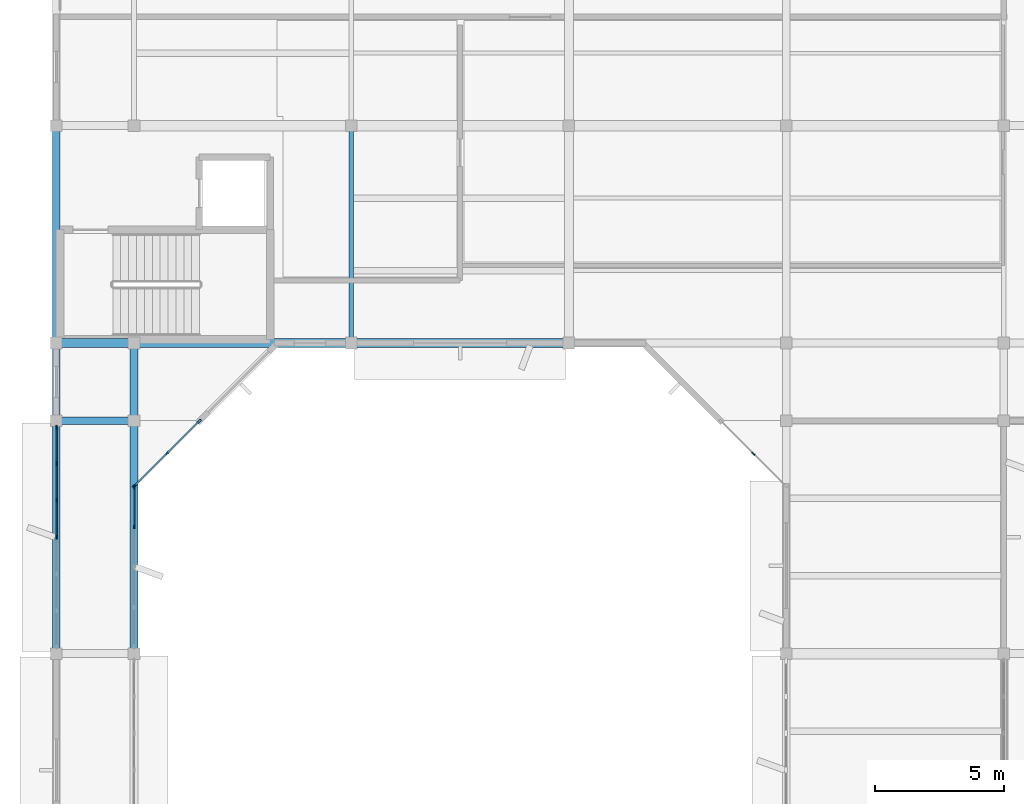
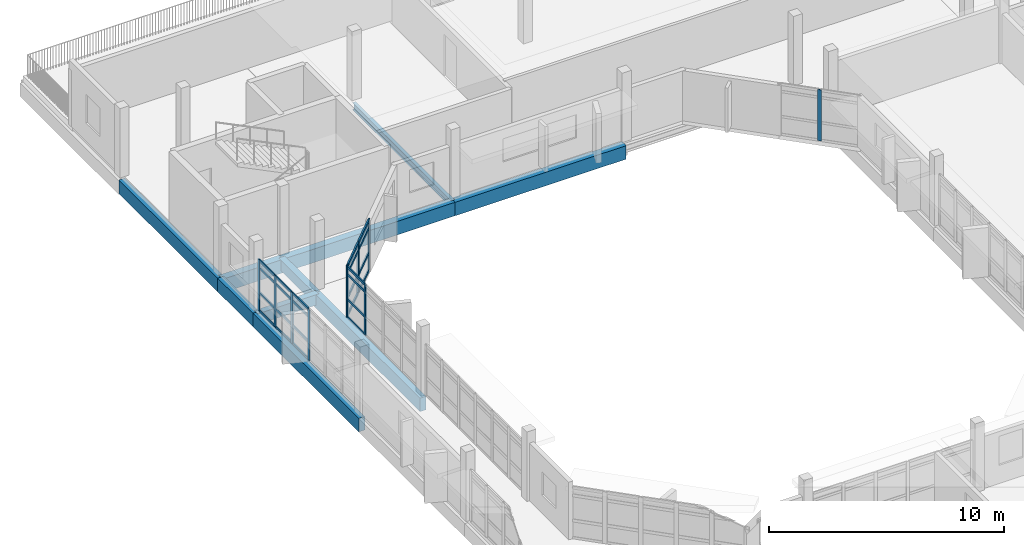
# One storey, part 9 of 42: 34 members, 10 beams, 4 elements without a shape of their own.
"""IFC4 building model written with IfcOpenShell, lengths in metres."""

from ifc_helpers import new_model, si_unit, direction, frame, origin, origin_2d, place, context, subcontext, project, spatial, rectangle, i_section, extrude, material, material_profile, profile_set, type_object, element, aggregate, save


model = new_model("IFC4")

# Units and contexts
model_context = context("Model", 3, precision=1e-05, world=origin(), true_north=direction((0.0, 1.0)))
body_context = subcontext(model_context, "Body", "Model", "MODEL_VIEW")
ifc_project = project(units=[si_unit("LENGTHUNIT", "METRE"), si_unit("AREAUNIT", "SQUARE_METRE"), si_unit("VOLUMEUNIT", "CUBIC_METRE"), si_unit("PLANEANGLEUNIT", "RADIAN"), si_unit("MASSUNIT", "GRAM", prefix="KILO")], contexts=[model_context])

# Site, building, storey
site_placement = place(None, origin())
site = spatial("IfcSite", under=ifc_project, at=site_placement, CompositionType="ELEMENT")
building_placement = place(site_placement, origin())
building = spatial("IfcBuilding", under=site, at=building_placement, Name="Vanh Quang Courtyard School", CompositionType="ELEMENT")
storey_placement = place(building_placement, frame((0.0, 0.0, 15.0)))
storey = spatial("IfcBuildingStorey", under=building, at=storey_placement, Name="L04", CompositionType="ELEMENT", Elevation=15.0)

# Beams
ifc_material_1 = material(Name="Concrete C35/45", Category="concrete")
ifc_material_profile_1 = material_profile(ifc_material_1, rectangle(XDim=0.300048828125, YDim=0.550048828125, at=origin_2d()), Name="RC-BM 300x550")
ifc_profile_set_1 = profile_set([ifc_material_profile_1], Name="Concrete C35/45")
beam_type_1 = type_object("IfcBeamType", Name="BM-RC-300x550", PredefinedType="BEAM", material=ifc_profile_set_1)
for number, where, z_axis, x_axis, name in (
    (1, (37.800048828125, 68.39990234375, -0.534912109375), (1.0, 0.0, 0.0), (0.0, 1.0, 0.0), "Beam B-07 (L04)"),
    (2, (40.800048828125, 68.39990234375, -0.534912109375), (0.0, 1.0, 0.0), (-1.0, 0.0, 0.0), "Beam B-07 (L04)"),
):
    element("IfcBeam", number, at=place(storey_placement, frame(where, z_axis=z_axis, x_axis=x_axis)), inside=storey, type_object=beam_type_1, Name=name, PredefinedType="BEAM", context=body_context, shape_type="SweptSolid", body=[
        extrude(rectangle(XDim=0.300048828125, YDim=0.550048828125, at=origin_2d()), origin(), (0.0, 0.0, 1.0), 3.0),
    ])
ifc_material_profile_2 = material_profile(ifc_material_1, rectangle(XDim=0.35009765625, YDim=0.699951171875, at=origin_2d()), Name="RC-BM 350x700")
ifc_profile_set_2 = profile_set([ifc_material_profile_2], Name="Concrete C35/45")
beam_type_2 = type_object("IfcBeamType", Name="BM-RC-350x700", PredefinedType="BEAM", material=ifc_profile_set_2)
beam_1_placement = place(storey_placement, frame((37.800048828125, 71.39990234375, -0.610107421875), z_axis=(1.0, 0.0, 0.0), x_axis=(0.0, 1.0, 0.0)))
element("IfcBeam", 3, at=beam_1_placement, inside=storey, type_object=beam_type_2, Name="Beam B-04 (L04)", PredefinedType="BEAM", context=body_context, shape_type="SweptSolid", body=[
    extrude(rectangle(XDim=0.35009765625, YDim=0.699951171875, at=origin_2d()), origin(), (0.0, 0.0, 1.0), 3.0),
])
beam_2_placement = place(storey_placement, frame((40.800048828125, 71.39990234375, -0.610107421875), z_axis=(1.0, 0.0, 0.0), x_axis=(0.0, 1.0, 0.0)))
element("IfcBeam", 4, at=beam_2_placement, inside=storey, type_object=beam_type_2, Name="Beam B-04 (L04)", PredefinedType="BEAM", context=body_context, shape_type="SweptSolid", body=[
    extrude(rectangle(XDim=0.35009765625, YDim=0.699951171875, at=origin_2d()), origin(), (0.0, 0.0, 1.0), 8.39990234375),
])
beam_3_placement = place(storey_placement, frame((49.199951171875, 71.39990234375, -0.610107421875), z_axis=(1.0, 0.0, 0.0), x_axis=(0.0, 1.0, 0.0)))
element("IfcBeam", 5, at=beam_3_placement, inside=storey, type_object=beam_type_2, Name="Beam B-04 (L04)", PredefinedType="BEAM", context=body_context, shape_type="SweptSolid", body=[
    extrude(rectangle(XDim=0.35009765625, YDim=0.699951171875, at=origin_2d()), origin(), (0.0, 0.0, 1.0), 8.400146484375),
])
ifc_material_profile_3 = material_profile(ifc_material_1, rectangle(XDim=0.300048828125, YDim=0.699951171875, at=origin_2d()), Name="RC-SP 300x700")
ifc_profile_set_3 = profile_set([ifc_material_profile_3], Name="Concrete C35/45")
beam_type_3 = type_object("IfcBeamType", Name="BM-SP-300x700", PredefinedType="SPANDREL", material=ifc_profile_set_3)
beam_4_placement = place(storey_placement, frame((37.800048828125, 59.39990234375, -0.610107421875), z_axis=(0.0, 1.0, 0.0), x_axis=(-1.0, 0.0, 0.0)))
element("IfcBeam", 6, at=beam_4_placement, inside=storey, type_object=beam_type_3, Name="Beam BS-01 (L04)", PredefinedType="SPANDREL", context=body_context, shape_type="SweptSolid", body=[
    extrude(rectangle(XDim=0.300048828125, YDim=0.699951171875, at=origin_2d()), origin(), (0.0, 0.0, 1.0), 9.0),
])
beam_5_placement = place(storey_placement, frame((37.800048828125, 68.39990234375, -0.610107421875), z_axis=(0.0, 1.0, 0.0), x_axis=(-1.0, 0.0, 0.0)))
element("IfcBeam", 7, at=beam_5_placement, inside=storey, type_object=beam_type_3, Name="Beam BS-01 (L04)", PredefinedType="SPANDREL", context=body_context, shape_type="SweptSolid", body=[
    extrude(rectangle(XDim=0.300048828125, YDim=0.699951171875, at=origin_2d()), origin(), (0.0, 0.0, 1.0), 3.0),
])
beam_6_placement = place(storey_placement, frame((37.800048828125, 71.39990234375, -0.610107421875), z_axis=(0.0, 1.0, 0.0), x_axis=(-1.0, 0.0, 0.0)))
element("IfcBeam", 8, at=beam_6_placement, inside=storey, type_object=beam_type_3, Name="Beam BS-01 (L04)", PredefinedType="SPANDREL", context=body_context, shape_type="SweptSolid", body=[
    extrude(rectangle(XDim=0.300048828125, YDim=0.699951171875, at=origin_2d()), origin(), (0.0, 0.0, 1.0), 8.400146484375),
])
beam_7_placement = place(storey_placement, frame((40.800048828125, 59.39990234375, -0.610107421875), z_axis=(0.0, 1.0, 0.0), x_axis=(-1.0, 0.0, 0.0)))
element("IfcBeam", 9, at=beam_7_placement, inside=storey, type_object=beam_type_3, Name="Beam BS-01 (L04)", PredefinedType="SPANDREL", context=body_context, shape_type="SweptSolid", body=[
    extrude(rectangle(XDim=0.300048828125, YDim=0.699951171875, at=origin_2d()), origin(), (0.0, 0.0, 1.0), 9.0),
])
ifc_material_2 = material(Name="Structural steel EN 10025-2 S355J2", Category="steel")
ifc_material_profile_4 = material_profile(ifc_material_2, i_section(OverallWidth=0.169921875, OverallDepth=0.360107421875, WebThickness=0.008056640625, FlangeThickness=0.0126953125, FilletRadius=0.01806640625, at=origin_2d()), Name="IPE 360")
ifc_profile_set_4 = profile_set([ifc_material_profile_4], Name="Structural steel EN 10025-2 S355J2")
beam_type_4 = type_object("IfcBeamType", Name="BM-STL-IPE360", PredefinedType="BEAM", material=ifc_profile_set_4)
beam_8_placement = place(storey_placement, frame((49.199951171875, 71.39990234375, -0.43994140625), z_axis=(0.0, 1.0, 0.0), x_axis=(-1.0, 0.0, 0.0)))
element("IfcBeam", 10, at=beam_8_placement, inside=storey, type_object=beam_type_4, Name="Beam SB-06 (L04)", PredefinedType="BEAM", context=body_context, shape_type="SweptSolid", body=[
    extrude(i_section(OverallWidth=0.169921875, OverallDepth=0.360107421875, WebThickness=0.008056640625, FlangeThickness=0.0126953125, FilletRadius=0.01806640625, at=origin_2d()), origin(), (0.0, 0.0, 1.0), 8.400146484375),
])

# Curtain wall, members
ifc_material_3 = material(Name="Thermally broken aluminium unitised curtain wall", Category="aluminium")
curtain_wall_type_1 = type_object("IfcCurtainWallType", Name="CW-SYS-50", PredefinedType="NOTDEFINED", material=ifc_material_3)
curtain_wall_1_placement = place(storey_placement, origin())
curtain_wall_1 = element("IfcCurtainWall", 11, at=curtain_wall_1_placement, inside=storey, type_object=curtain_wall_type_1, Name="Curtain Wall CW-50 (L04)", PredefinedType="NOTDEFINED")
ifc_material_4 = material(Name="Anodised aluminium 6063-T6", Category="aluminium")
ifc_material_profile_5 = material_profile(ifc_material_4, rectangle(XDim=0.06005859375, YDim=0.159912109375, at=origin_2d()), Name="ALU-MUL 60x160")
ifc_profile_set_5 = profile_set([ifc_material_profile_5], Name="Anodised aluminium 6063-T6")
member_type_1 = type_object("IfcMemberType", Name="CW-MUL-60x160", PredefinedType="MULLION", material=ifc_profile_set_5)
member_1_placement = place(storey_placement, frame((37.800048828125, 63.89990234375, 0.0), z_axis=(0.0, 0.0, 1.0), x_axis=(-1.0, 0.0, 0.0)))
member_1 = element("IfcMember", 12, at=member_1_placement, type_object=member_type_1, Name="CW-50 mullion 4", PredefinedType="MULLION", context=body_context, shape_type="SweptSolid", body=[
    extrude(rectangle(XDim=0.06005859375, YDim=0.159912109375, at=origin_2d()), origin(), (0.0, 0.0, 1.0), 2.64990234375),
])
member_2_placement = place(storey_placement, frame((37.800048828125, 65.322265625, 0.0), z_axis=(0.0, 0.0, 1.0), x_axis=(-1.0, 0.0, 0.0)))
member_2 = element("IfcMember", 13, at=member_2_placement, type_object=member_type_1, Name="CW-50 mullion 5", PredefinedType="MULLION", context=body_context, shape_type="SweptSolid", body=[
    extrude(rectangle(XDim=0.06005859375, YDim=0.159912109375, at=origin_2d()), origin(), (0.0, 0.0, 1.0), 2.64990234375),
])
member_3_placement = place(storey_placement, frame((37.800048828125, 66.74462890625, 0.0), z_axis=(0.0, 0.0, 1.0), x_axis=(-1.0, 0.0, 0.0)))
member_3 = element("IfcMember", 14, at=member_3_placement, type_object=member_type_1, Name="CW-50 mullion 6", PredefinedType="MULLION", context=body_context, shape_type="SweptSolid", body=[
    extrude(rectangle(XDim=0.06005859375, YDim=0.159912109375, at=origin_2d()), origin(), (0.0, 0.0, 1.0), 2.64990234375),
])
member_4_placement = place(storey_placement, frame((37.800048828125, 68.136962890625, 0.0), z_axis=(0.0, 0.0, 1.0), x_axis=(-1.0, 0.0, 0.0)))
member_4 = element("IfcMember", 15, at=member_4_placement, type_object=member_type_1, Name="CW-50 mullion 7", PredefinedType="MULLION", context=body_context, shape_type="SweptSolid", body=[
    extrude(rectangle(XDim=0.06005859375, YDim=0.159912109375, at=origin_2d()), origin(), (0.0, 0.0, 1.0), 2.64990234375),
])

curtain_wall_type_2 = type_object("IfcCurtainWallType", Name="CW-SYS-44", PredefinedType="NOTDEFINED", material=ifc_material_3)
curtain_wall_2_placement = place(storey_placement, origin())
curtain_wall_2 = element("IfcCurtainWall", 16, at=curtain_wall_2_placement, inside=storey, type_object=curtain_wall_type_2, Name="Curtain Wall CW-44 (L04)", PredefinedType="NOTDEFINED")
member_5_placement = place(storey_placement, frame((40.800048828125, 65.825927734375, 0.0), z_axis=(0.0, 0.0, 1.0), x_axis=(1.0, 0.0, 0.0)))
member_5 = element("IfcMember", 17, at=member_5_placement, type_object=member_type_1, Name="CW-44 mullion 1", PredefinedType="MULLION", context=body_context, shape_type="SweptSolid", body=[
    extrude(rectangle(XDim=0.06005859375, YDim=0.159912109375, at=origin_2d()), origin(), (0.0, 0.0, 1.0), 2.64990234375),
])
member_6_placement = place(storey_placement, frame((40.800048828125, 64.30029296875, 0.0), z_axis=(0.0, 0.0, 1.0), x_axis=(1.0, 0.0, 0.0)))
member_6 = element("IfcMember", 18, at=member_6_placement, type_object=member_type_1, Name="CW-44 mullion 2", PredefinedType="MULLION", context=body_context, shape_type="SweptSolid", body=[
    extrude(rectangle(XDim=0.06005859375, YDim=0.159912109375, at=origin_2d()), origin(), (0.0, 0.0, 1.0), 2.64990234375),
])

# Curtain wall, member
curtain_wall_type_3 = type_object("IfcCurtainWallType", Name="CW-SYS-41", PredefinedType="NOTDEFINED", material=ifc_material_3)
curtain_wall_3_placement = place(storey_placement, origin())
curtain_wall_3 = element("IfcCurtainWall", 19, at=curtain_wall_3_placement, inside=storey, type_object=curtain_wall_type_3, Name="Curtain Wall CW-41 (L04)", PredefinedType="NOTDEFINED")
member_7_placement = place(storey_placement, frame((64.72802734375, 67.1279296875, 0.0), z_axis=(0.0, 0.0, 1.0), x_axis=(-0.707106781187, -0.707106781187, 0.0)))
member_7 = element("IfcMember", 20, at=member_7_placement, type_object=member_type_1, Name="CW-41 mullion 2", PredefinedType="MULLION", context=body_context, shape_type="SweptSolid", body=[
    extrude(rectangle(XDim=0.06005859375, YDim=0.159912109375, at=origin_2d()), origin(), (0.0, 0.0, 1.0), 2.64990234375),
])
aggregate(curtain_wall_3, [member_7])

# Curtain wall, members
curtain_wall_4_placement = place(storey_placement, origin())
curtain_wall_4 = element("IfcCurtainWall", 21, at=curtain_wall_4_placement, inside=storey, type_object=curtain_wall_type_3, Name="Curtain Wall CW-41 (L04)", PredefinedType="NOTDEFINED")
ifc_material_profile_6 = material_profile(ifc_material_4, rectangle(XDim=0.070068359375, YDim=0.179931640625, at=origin_2d()), Name="ALU-MUL 70x180")
ifc_profile_set_6 = profile_set([ifc_material_profile_6], Name="Anodised aluminium 6063-T6")
member_type_2 = type_object("IfcMemberType", Name="CW-MUL-70x180", PredefinedType="MULLION", material=ifc_profile_set_6)
member_8_placement = place(storey_placement, frame((43.3193359375, 68.375244140625, 0.0), z_axis=(0.0, 0.0, 1.0), x_axis=(0.707106781187, -0.707106781187, 0.0)))
member_8 = element("IfcMember", 22, at=member_8_placement, type_object=member_type_2, Name="CW-41 mullion 1", PredefinedType="MULLION", context=body_context, shape_type="SweptSolid", body=[
    extrude(rectangle(XDim=0.070068359375, YDim=0.179931640625, at=origin_2d()), origin(), (0.0, 0.0, 1.0), 2.64990234375),
])
member_9_placement = place(storey_placement, frame((42.072021484375, 67.1279296875, 0.0), z_axis=(0.0, 0.0, 1.0), x_axis=(0.707106781187, -0.707106781187, 0.0)))
member_9 = element("IfcMember", 23, at=member_9_placement, type_object=member_type_2, Name="CW-41 mullion 2", PredefinedType="MULLION", context=body_context, shape_type="SweptSolid", body=[
    extrude(rectangle(XDim=0.070068359375, YDim=0.179931640625, at=origin_2d()), origin(), (0.0, 0.0, 1.0), 2.64990234375),
])
member_10_placement = place(storey_placement, frame((40.82470703125, 65.880859375, 0.0), z_axis=(0.0, 0.0, 1.0), x_axis=(0.707106781187, -0.707106781187, 0.0)))
member_10 = element("IfcMember", 24, at=member_10_placement, type_object=member_type_2, Name="CW-41 mullion 3", PredefinedType="MULLION", context=body_context, shape_type="SweptSolid", body=[
    extrude(rectangle(XDim=0.070068359375, YDim=0.179931640625, at=origin_2d()), origin(), (0.0, 0.0, 1.0), 2.64990234375),
])

# Member
ifc_material_profile_7 = material_profile(ifc_material_4, rectangle(XDim=0.06005859375, YDim=0.1201171875, at=origin_2d()), Name="ALU-TRN 60x120")
ifc_profile_set_7 = profile_set([ifc_material_profile_7], Name="Anodised aluminium 6063-T6")
member_type_3 = type_object("IfcMemberType", Name="CW-TRN-60x120", PredefinedType="USERDEFINED", material=ifc_profile_set_7)
member_11_placement = place(storey_placement, frame((37.800048828125, 63.929931640625, 0.030029296875), z_axis=(0.0, 1.0, 0.0), x_axis=(-1.0, 0.0, 0.0)))
member_11 = element("IfcMember", 25, at=member_11_placement, type_object=member_type_3, Name="CW-50 transom 4.1", ObjectType="TRANSOM", PredefinedType="USERDEFINED", context=body_context, shape_type="SweptSolid", body=[
    extrude(rectangle(XDim=0.06005859375, YDim=0.1201171875, at=origin_2d()), origin(), (0.0, 0.0, 1.0), 1.3623046875),
])

member_12_placement = place(storey_placement, frame((37.800048828125, 63.929931640625, 0.949951171875), z_axis=(0.0, 1.0, 0.0), x_axis=(-1.0, 0.0, 0.0)))
member_12 = element("IfcMember", 26, at=member_12_placement, type_object=member_type_3, Name="CW-50 transom 4.2", ObjectType="TRANSOM", PredefinedType="USERDEFINED", context=body_context, shape_type="SweptSolid", body=[
    extrude(rectangle(XDim=0.06005859375, YDim=0.1201171875, at=origin_2d()), origin(), (0.0, 0.0, 1.0), 1.3623046875),
])

member_13_placement = place(storey_placement, frame((37.800048828125, 63.929931640625, 2.25), z_axis=(0.0, 1.0, 0.0), x_axis=(-1.0, 0.0, 0.0)))
member_13 = element("IfcMember", 27, at=member_13_placement, type_object=member_type_3, Name="CW-50 transom 4.3", ObjectType="TRANSOM", PredefinedType="USERDEFINED", context=body_context, shape_type="SweptSolid", body=[
    extrude(rectangle(XDim=0.06005859375, YDim=0.1201171875, at=origin_2d()), origin(), (0.0, 0.0, 1.0), 1.3623046875),
])

member_14_placement = place(storey_placement, frame((37.800048828125, 63.929931640625, 2.6201171875), z_axis=(0.0, 1.0, 0.0), x_axis=(-1.0, 0.0, 0.0)))
member_14 = element("IfcMember", 28, at=member_14_placement, type_object=member_type_3, Name="CW-50 transom 4.4", ObjectType="TRANSOM", PredefinedType="USERDEFINED", context=body_context, shape_type="SweptSolid", body=[
    extrude(rectangle(XDim=0.06005859375, YDim=0.1201171875, at=origin_2d()), origin(), (0.0, 0.0, 1.0), 1.3623046875),
])

member_15_placement = place(storey_placement, frame((37.800048828125, 65.352294921875, 0.030029296875), z_axis=(0.0, 1.0, 0.0), x_axis=(-1.0, 0.0, 0.0)))
member_15 = element("IfcMember", 29, at=member_15_placement, type_object=member_type_3, Name="CW-50 transom 5.1", ObjectType="TRANSOM", PredefinedType="USERDEFINED", context=body_context, shape_type="SweptSolid", body=[
    extrude(rectangle(XDim=0.06005859375, YDim=0.1201171875, at=origin_2d()), origin(), (0.0, 0.0, 1.0), 1.3623046875),
])

member_16_placement = place(storey_placement, frame((37.800048828125, 65.352294921875, 0.949951171875), z_axis=(0.0, 1.0, 0.0), x_axis=(-1.0, 0.0, 0.0)))
member_16 = element("IfcMember", 30, at=member_16_placement, type_object=member_type_3, Name="CW-50 transom 5.2", ObjectType="TRANSOM", PredefinedType="USERDEFINED", context=body_context, shape_type="SweptSolid", body=[
    extrude(rectangle(XDim=0.06005859375, YDim=0.1201171875, at=origin_2d()), origin(), (0.0, 0.0, 1.0), 1.3623046875),
])

member_17_placement = place(storey_placement, frame((37.800048828125, 65.352294921875, 2.25), z_axis=(0.0, 1.0, 0.0), x_axis=(-1.0, 0.0, 0.0)))
member_17 = element("IfcMember", 31, at=member_17_placement, type_object=member_type_3, Name="CW-50 transom 5.3", ObjectType="TRANSOM", PredefinedType="USERDEFINED", context=body_context, shape_type="SweptSolid", body=[
    extrude(rectangle(XDim=0.06005859375, YDim=0.1201171875, at=origin_2d()), origin(), (0.0, 0.0, 1.0), 1.3623046875),
])

member_18_placement = place(storey_placement, frame((37.800048828125, 65.352294921875, 2.6201171875), z_axis=(0.0, 1.0, 0.0), x_axis=(-1.0, 0.0, 0.0)))
member_18 = element("IfcMember", 32, at=member_18_placement, type_object=member_type_3, Name="CW-50 transom 5.4", ObjectType="TRANSOM", PredefinedType="USERDEFINED", context=body_context, shape_type="SweptSolid", body=[
    extrude(rectangle(XDim=0.06005859375, YDim=0.1201171875, at=origin_2d()), origin(), (0.0, 0.0, 1.0), 1.3623046875),
])

member_19_placement = place(storey_placement, frame((37.800048828125, 66.774658203125, 0.030029296875), z_axis=(0.0, 1.0, 0.0), x_axis=(-1.0, 0.0, 0.0)))
member_19 = element("IfcMember", 33, at=member_19_placement, type_object=member_type_3, Name="CW-50 transom 6.1", ObjectType="TRANSOM", PredefinedType="USERDEFINED", context=body_context, shape_type="SweptSolid", body=[
    extrude(rectangle(XDim=0.06005859375, YDim=0.1201171875, at=origin_2d()), origin(), (0.0, 0.0, 1.0), 1.332275390625),
])

member_20_placement = place(storey_placement, frame((37.800048828125, 66.774658203125, 0.949951171875), z_axis=(0.0, 1.0, 0.0), x_axis=(-1.0, 0.0, 0.0)))
member_20 = element("IfcMember", 34, at=member_20_placement, type_object=member_type_3, Name="CW-50 transom 6.2", ObjectType="TRANSOM", PredefinedType="USERDEFINED", context=body_context, shape_type="SweptSolid", body=[
    extrude(rectangle(XDim=0.06005859375, YDim=0.1201171875, at=origin_2d()), origin(), (0.0, 0.0, 1.0), 1.332275390625),
])

member_21_placement = place(storey_placement, frame((37.800048828125, 66.774658203125, 2.25), z_axis=(0.0, 1.0, 0.0), x_axis=(-1.0, 0.0, 0.0)))
member_21 = element("IfcMember", 35, at=member_21_placement, type_object=member_type_3, Name="CW-50 transom 6.3", ObjectType="TRANSOM", PredefinedType="USERDEFINED", context=body_context, shape_type="SweptSolid", body=[
    extrude(rectangle(XDim=0.06005859375, YDim=0.1201171875, at=origin_2d()), origin(), (0.0, 0.0, 1.0), 1.332275390625),
])

member_22_placement = place(storey_placement, frame((37.800048828125, 66.774658203125, 2.6201171875), z_axis=(0.0, 1.0, 0.0), x_axis=(-1.0, 0.0, 0.0)))
member_22 = element("IfcMember", 36, at=member_22_placement, type_object=member_type_3, Name="CW-50 transom 6.4", ObjectType="TRANSOM", PredefinedType="USERDEFINED", context=body_context, shape_type="SweptSolid", body=[
    extrude(rectangle(XDim=0.06005859375, YDim=0.1201171875, at=origin_2d()), origin(), (0.0, 0.0, 1.0), 1.332275390625),
])

aggregate(curtain_wall_1, [member_1, member_2, member_3, member_4, member_11, member_12, member_13, member_14, member_15, member_16, member_17, member_18, member_19, member_20, member_21, member_22])

member_23_placement = place(storey_placement, frame((40.800048828125, 65.7958984375, 0.030029296875), z_axis=(0.0, -1.0, 0.0), x_axis=(1.0, 0.0, 0.0)))
member_23 = element("IfcMember", 37, at=member_23_placement, type_object=member_type_3, Name="CW-44 transom 1.1", ObjectType="TRANSOM", PredefinedType="USERDEFINED", context=body_context, shape_type="SweptSolid", body=[
    extrude(rectangle(XDim=0.06005859375, YDim=0.1201171875, at=origin_2d()), origin(), (0.0, 0.0, 1.0), 1.465576171875),
])

member_24_placement = place(storey_placement, frame((40.800048828125, 65.7958984375, 0.949951171875), z_axis=(0.0, -1.0, 0.0), x_axis=(1.0, 0.0, 0.0)))
member_24 = element("IfcMember", 38, at=member_24_placement, type_object=member_type_3, Name="CW-44 transom 1.2", ObjectType="TRANSOM", PredefinedType="USERDEFINED", context=body_context, shape_type="SweptSolid", body=[
    extrude(rectangle(XDim=0.06005859375, YDim=0.1201171875, at=origin_2d()), origin(), (0.0, 0.0, 1.0), 1.465576171875),
])

member_25_placement = place(storey_placement, frame((40.800048828125, 65.7958984375, 2.25), z_axis=(0.0, -1.0, 0.0), x_axis=(1.0, 0.0, 0.0)))
member_25 = element("IfcMember", 39, at=member_25_placement, type_object=member_type_3, Name="CW-44 transom 1.3", ObjectType="TRANSOM", PredefinedType="USERDEFINED", context=body_context, shape_type="SweptSolid", body=[
    extrude(rectangle(XDim=0.06005859375, YDim=0.1201171875, at=origin_2d()), origin(), (0.0, 0.0, 1.0), 1.465576171875),
])

member_26_placement = place(storey_placement, frame((40.800048828125, 65.7958984375, 2.6201171875), z_axis=(0.0, -1.0, 0.0), x_axis=(1.0, 0.0, 0.0)))
member_26 = element("IfcMember", 40, at=member_26_placement, type_object=member_type_3, Name="CW-44 transom 1.4", ObjectType="TRANSOM", PredefinedType="USERDEFINED", context=body_context, shape_type="SweptSolid", body=[
    extrude(rectangle(XDim=0.06005859375, YDim=0.1201171875, at=origin_2d()), origin(), (0.0, 0.0, 1.0), 1.465576171875),
])

aggregate(curtain_wall_2, [member_5, member_6, member_23, member_24, member_25, member_26])

ifc_material_profile_8 = material_profile(ifc_material_4, rectangle(XDim=0.070068359375, YDim=0.139892578125, at=origin_2d()), Name="ALU-TRN 70x140")
ifc_profile_set_8 = profile_set([ifc_material_profile_8], Name="Anodised aluminium 6063-T6")
member_type_4 = type_object("IfcMemberType", Name="CW-TRN-70x140", PredefinedType="USERDEFINED", material=ifc_profile_set_8)
member_27_placement = place(storey_placement, frame((43.29443359375, 68.3505859375, 0.034912109375), z_axis=(-0.707106781187, -0.707106781187, 0.0), x_axis=(0.707106781187, -0.707106781187, 0.0)))
member_27 = element("IfcMember", 41, at=member_27_placement, type_object=member_type_4, Name="CW-41 transom 1.1", ObjectType="TRANSOM", PredefinedType="USERDEFINED", context=body_context, shape_type="SweptSolid", body=[
    extrude(rectangle(XDim=0.070068359375, YDim=0.139892578125, at=origin_2d()), origin(), (0.0, 0.0, 1.0), 1.69384765625),
])

member_28_placement = place(storey_placement, frame((43.29443359375, 68.3505859375, 0.949951171875), z_axis=(-0.707106781187, -0.707106781187, 0.0), x_axis=(0.707106781187, -0.707106781187, 0.0)))
member_28 = element("IfcMember", 42, at=member_28_placement, type_object=member_type_4, Name="CW-41 transom 1.2", ObjectType="TRANSOM", PredefinedType="USERDEFINED", context=body_context, shape_type="SweptSolid", body=[
    extrude(rectangle(XDim=0.070068359375, YDim=0.139892578125, at=origin_2d()), origin(), (0.0, 0.0, 1.0), 1.69384765625),
])

member_29_placement = place(storey_placement, frame((43.29443359375, 68.3505859375, 2.25), z_axis=(-0.707106781187, -0.707106781187, 0.0), x_axis=(0.707106781187, -0.707106781187, 0.0)))
member_29 = element("IfcMember", 43, at=member_29_placement, type_object=member_type_4, Name="CW-41 transom 1.3", ObjectType="TRANSOM", PredefinedType="USERDEFINED", context=body_context, shape_type="SweptSolid", body=[
    extrude(rectangle(XDim=0.070068359375, YDim=0.139892578125, at=origin_2d()), origin(), (0.0, 0.0, 1.0), 1.69384765625),
])

member_30_placement = place(storey_placement, frame((43.29443359375, 68.3505859375, 2.614990234375), z_axis=(-0.707106781187, -0.707106781187, 0.0), x_axis=(0.707106781187, -0.707106781187, 0.0)))
member_30 = element("IfcMember", 44, at=member_30_placement, type_object=member_type_4, Name="CW-41 transom 1.4", ObjectType="TRANSOM", PredefinedType="USERDEFINED", context=body_context, shape_type="SweptSolid", body=[
    extrude(rectangle(XDim=0.070068359375, YDim=0.139892578125, at=origin_2d()), origin(), (0.0, 0.0, 1.0), 1.69384765625),
])

member_31_placement = place(storey_placement, frame((42.04736328125, 67.103271484375, 0.034912109375), z_axis=(-0.707106781187, -0.707106781187, 0.0), x_axis=(0.707106781187, -0.707106781187, 0.0)))
member_31 = element("IfcMember", 45, at=member_31_placement, type_object=member_type_4, Name="CW-41 transom 2.1", ObjectType="TRANSOM", PredefinedType="USERDEFINED", context=body_context, shape_type="SweptSolid", body=[
    extrude(rectangle(XDim=0.070068359375, YDim=0.139892578125, at=origin_2d()), origin(), (0.0, 0.0, 1.0), 1.69384765625),
])

member_32_placement = place(storey_placement, frame((42.04736328125, 67.103271484375, 0.949951171875), z_axis=(-0.707106781187, -0.707106781187, 0.0), x_axis=(0.707106781187, -0.707106781187, 0.0)))
member_32 = element("IfcMember", 46, at=member_32_placement, type_object=member_type_4, Name="CW-41 transom 2.2", ObjectType="TRANSOM", PredefinedType="USERDEFINED", context=body_context, shape_type="SweptSolid", body=[
    extrude(rectangle(XDim=0.070068359375, YDim=0.139892578125, at=origin_2d()), origin(), (0.0, 0.0, 1.0), 1.69384765625),
])

member_33_placement = place(storey_placement, frame((42.04736328125, 67.103271484375, 2.25), z_axis=(-0.707106781187, -0.707106781187, 0.0), x_axis=(0.707106781187, -0.707106781187, 0.0)))
member_33 = element("IfcMember", 47, at=member_33_placement, type_object=member_type_4, Name="CW-41 transom 2.3", ObjectType="TRANSOM", PredefinedType="USERDEFINED", context=body_context, shape_type="SweptSolid", body=[
    extrude(rectangle(XDim=0.070068359375, YDim=0.139892578125, at=origin_2d()), origin(), (0.0, 0.0, 1.0), 1.69384765625),
])

member_34_placement = place(storey_placement, frame((42.04736328125, 67.103271484375, 2.614990234375), z_axis=(-0.707106781187, -0.707106781187, 0.0), x_axis=(0.707106781187, -0.707106781187, 0.0)))
member_34 = element("IfcMember", 48, at=member_34_placement, type_object=member_type_4, Name="CW-41 transom 2.4", ObjectType="TRANSOM", PredefinedType="USERDEFINED", context=body_context, shape_type="SweptSolid", body=[
    extrude(rectangle(XDim=0.070068359375, YDim=0.139892578125, at=origin_2d()), origin(), (0.0, 0.0, 1.0), 1.69384765625),
])

aggregate(curtain_wall_4, [member_8, member_9, member_10, member_27, member_28, member_29, member_30, member_31, member_32, member_33, member_34])

save(model, "model.ifc")
